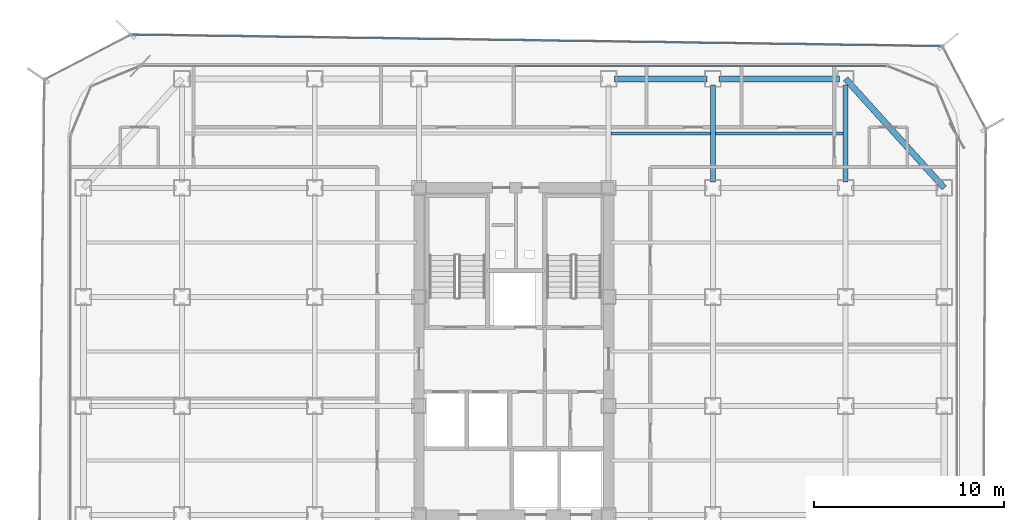
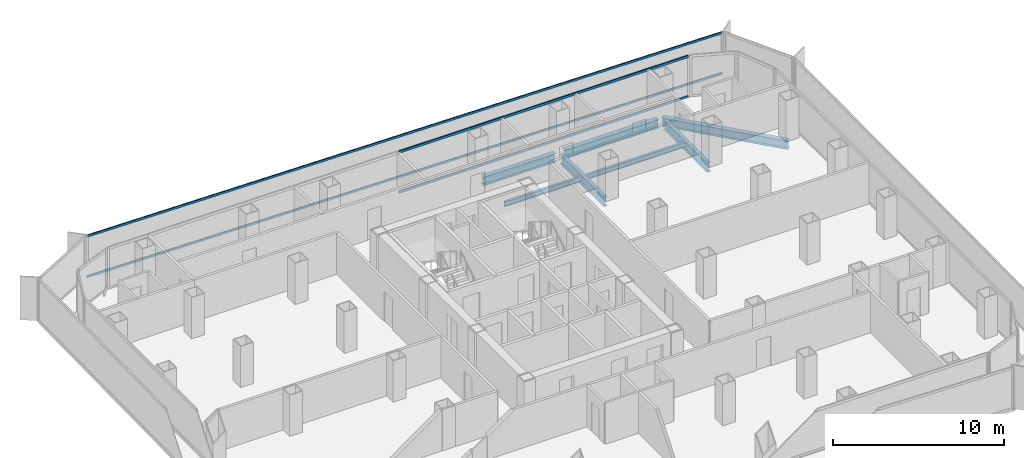
# One storey, part 13 of 21: 7 beams, 4 members, 2 elements without a shape of their own.
"""IFC4 building model written with IfcOpenShell, lengths in metres."""

from ifc_helpers import new_model, si_unit, direction, frame, origin, origin_2d, place, context, subcontext, project, spatial, hollow_rectangle, i_section, extrude, source, transform, mapped, material, layer, layer_set, material_profile, profile_set, type_object, element, aggregate, save


model = new_model("IFC4")

# Units and contexts
model_context = context("Model", 3, precision=1e-05, world=origin(), true_north=direction((0.0, 1.0)))
body_context = subcontext(model_context, "Body", "Model", "MODEL_VIEW")
ifc_project = project(units=[si_unit("LENGTHUNIT", "METRE"), si_unit("AREAUNIT", "SQUARE_METRE"), si_unit("VOLUMEUNIT", "CUBIC_METRE"), si_unit("PLANEANGLEUNIT", "RADIAN"), si_unit("MASSUNIT", "GRAM", prefix="KILO")], contexts=[model_context])

# Site, building, storey
site_placement = place(None, origin())
site = spatial("IfcSite", under=ifc_project, at=site_placement, CompositionType="ELEMENT")
building_placement = place(site_placement, origin())
building = spatial("IfcBuilding", under=site, at=building_placement, Name="Kolveth Station Tower", CompositionType="ELEMENT")
storey_placement = place(building_placement, frame((0.0, 0.0, 131.10009765625)))
storey = spatial("IfcBuildingStorey", under=building, at=storey_placement, Name="L36", CompositionType="ELEMENT", Elevation=131.10009765625)

# Beams
ifc_material_1 = material(Name="Steel S355", Category="steel")
ifc_material_profile_1 = material_profile(ifc_material_1, i_section(OverallWidth=0.323974609375, OverallDepth=0.611083984375, WebThickness=0.0126953125, FlangeThickness=0.01904296875, at=origin_2d()), Name="W610x155")
ifc_profile_set_1 = profile_set([ifc_material_profile_1], Name="Steel S355")
beam_type_1 = type_object("IfcBeamType", Name="Beam_SP2", PredefinedType="SPANDREL", material=ifc_profile_set_1)
shared_shape_1 = source(origin(), body_context, "Body", "SweptSolid", [
    extrude(i_section(OverallWidth=0.323974609375, OverallDepth=0.611083984375, WebThickness=0.0126953125, FlangeThickness=0.01904296875, at=origin_2d()), origin(), (0.0, 0.0, 1.0), 6.35986328125),
])
beam_1_placement = place(storey_placement, frame((34.320068359375, 34.5, -0.5556640625), z_axis=(1.0, 0.0, 0.0), x_axis=(0.0, 1.0, 0.0)))
element("IfcBeam", 1, at=beam_1_placement, inside=storey, type_object=beam_type_1, Name="L36 Perimeter Spandrel BM-L36-PN-5", PredefinedType="SPANDREL", context=body_context, shape_type="MappedRepresentation", body=[
    mapped(shared_shape_1, transform((0.0, 0.0, 0.0), x_axis=(1.0, 0.0, 0.0), y_axis=(0.0, 1.0, 0.0), z_axis=(0.0, 0.0, 1.0), scale=1.0)),
])
shared_shape_2 = source(origin(), body_context, "Body", "SweptSolid", [
    extrude(i_section(OverallWidth=0.323974609375, OverallDepth=0.611083984375, WebThickness=0.0126953125, FlangeThickness=0.01904296875, at=origin_2d()), origin(), (0.0, 0.0, 1.0), 4.85986328125),
])
beam_2_placement = place(storey_placement, frame((28.820068359375, 34.5, -0.5556640625), z_axis=(1.0, 0.0, 0.0), x_axis=(0.0, 1.0, 0.0)))
element("IfcBeam", 2, at=beam_2_placement, inside=storey, type_object=beam_type_1, Name="L36 Perimeter Spandrel BM-L36-PN-4", PredefinedType="SPANDREL", context=body_context, shape_type="MappedRepresentation", body=[
    mapped(shared_shape_2, transform((0.0, 0.0, 0.0), x_axis=(1.0, 0.0, 0.0), y_axis=(0.0, 1.0, 0.0), z_axis=(0.0, 0.0, 1.0), scale=1.0)),
])
shared_shape_3 = source(origin(), body_context, "Body", "SweptSolid", [
    extrude(i_section(OverallWidth=0.323974609375, OverallDepth=0.611083984375, WebThickness=0.0126953125, FlangeThickness=0.01904296875, at=origin_2d()), origin(), (0.0, 0.0, 1.0), 7.75244140625),
])
beam_3_placement = place(storey_placement, frame((46.199951171875, 28.75, -0.5556640625), z_axis=(-0.670740965555, 0.74169168603, 0.0), x_axis=(-0.74169168603, -0.670740965555, 0.0)))
element("IfcBeam", 3, at=beam_3_placement, inside=storey, type_object=beam_type_1, Name="L36 Corner Edge Girder BM-L36-CNR-NE", PredefinedType="SPANDREL", context=body_context, shape_type="MappedRepresentation", body=[
    mapped(shared_shape_3, transform((0.0, 0.0, 0.0), x_axis=(1.0, 0.0, 0.0), y_axis=(0.0, 1.0, 0.0), z_axis=(0.0, 0.0, 1.0), scale=1.0)),
])
ifc_material_profile_2 = material_profile(ifc_material_1, i_section(OverallWidth=0.25390625, OverallDepth=0.68798828125, WebThickness=0.01318359375, FlangeThickness=0.02099609375, at=origin_2d()), Name="W690x152")
ifc_profile_set_2 = profile_set([ifc_material_profile_2], Name="Steel S355")
beam_type_2 = type_object("IfcBeamType", Name="Beam_B4", PredefinedType="BEAM", material=ifc_profile_set_2)
shared_shape_4 = source(origin(), body_context, "Body", "SweptSolid", [
    extrude(i_section(OverallWidth=0.25390625, OverallDepth=0.68798828125, WebThickness=0.01318359375, FlangeThickness=0.02099609375, at=origin_2d()), origin(), (0.0, 0.0, 1.0), 5.10986328125),
])
for number, where, z_axis, x_axis, name in (
    (4, (34.0, 29.070068359375, -0.593994140625), (0.0, 1.0, 0.0), (-1.0, 0.0, 0.0), "L36 Primary Girder BM-L36-GX340-6"),
    (5, (41.0, 29.070068359375, -0.593994140625), (0.0, 1.0, 0.0), (-1.0, 0.0, 0.0), "L36 Primary Girder BM-L36-GX410-6"),
):
    element("IfcBeam", number, at=place(storey_placement, frame(where, z_axis=z_axis, x_axis=x_axis)), inside=storey, type_object=beam_type_2, Name=name, PredefinedType="BEAM", context=body_context, shape_type="MappedRepresentation", body=[
        mapped(shared_shape_4, transform((0.0, 0.0, 0.0), x_axis=(1.0, 0.0, 0.0), y_axis=(0.0, 1.0, 0.0), z_axis=(0.0, 0.0, 1.0), scale=1.0)),
    ])
ifc_material_profile_3 = material_profile(ifc_material_1, i_section(OverallWidth=0.1708984375, OverallDepth=0.35205078125, WebThickness=0.0068359375, FlangeThickness=0.009765625, at=origin_2d()), Name="W360x44")
ifc_profile_set_3 = profile_set([ifc_material_profile_3], Name="Steel S355")
beam_type_3 = type_object("IfcBeamType", Name="Beam_J2", PredefinedType="JOIST", material=ifc_profile_set_3)
shared_shape_5 = source(origin(), body_context, "Body", "SweptSolid", [
    extrude(i_section(OverallWidth=0.1708984375, OverallDepth=0.35205078125, WebThickness=0.0068359375, FlangeThickness=0.009765625, at=origin_2d()), origin(), (0.0, 0.0, 1.0), 6.75),
])
beam_4_placement = place(storey_placement, frame((34.125, 31.625, -0.426025390625), z_axis=(1.0, 0.0, 0.0), x_axis=(0.0, 1.0, 0.0)))
element("IfcBeam", 6, at=beam_4_placement, inside=storey, type_object=beam_type_3, Name="L36 Secondary Joist JST-L36-6-6", PredefinedType="JOIST", context=body_context, shape_type="MappedRepresentation", body=[
    mapped(shared_shape_5, transform((0.0, 0.0, 0.0), x_axis=(1.0, 0.0, 0.0), y_axis=(0.0, 1.0, 0.0), z_axis=(0.0, 0.0, 1.0), scale=1.0)),
])
shared_shape_6 = source(origin(), body_context, "Body", "SweptSolid", [
    extrude(i_section(OverallWidth=0.1708984375, OverallDepth=0.35205078125, WebThickness=0.0068359375, FlangeThickness=0.009765625, at=origin_2d()), origin(), (0.0, 0.0, 1.0), 5.25),
])
beam_5_placement = place(storey_placement, frame((28.625, 31.625, -0.426025390625), z_axis=(1.0, 0.0, 0.0), x_axis=(0.0, 1.0, 0.0)))
element("IfcBeam", 7, at=beam_5_placement, inside=storey, type_object=beam_type_3, Name="L36 Secondary Joist JST-L36-5-6", PredefinedType="JOIST", context=body_context, shape_type="MappedRepresentation", body=[
    mapped(shared_shape_6, transform((0.0, 0.0, 0.0), x_axis=(1.0, 0.0, 0.0), y_axis=(0.0, 1.0, 0.0), z_axis=(0.0, 0.0, 1.0), scale=1.0)),
])

# Curtain wall, members
ifc_material_2 = material(Name="Aluminium 6063-T6 and low-E dark glass", Category="aluminium")
ifc_layer_1 = layer(ifc_material_2, 0.18994140625)
ifc_layer_set_1 = layer_set([ifc_layer_1], Name="Aluminium 6063-T6 and low-E dark glass")
curtain_wall_type_1 = type_object("IfcCurtainWallType", Name="CurtainWall_CW-Z2", PredefinedType="NOTDEFINED", material=ifc_layer_set_1)
curtain_wall_1_placement = place(storey_placement, origin())
curtain_wall_1 = element("IfcCurtainWall", 8, at=curtain_wall_1_placement, inside=storey, type_object=curtain_wall_type_1, Name="L36 Inner Thermal Curtain Wall 6", PredefinedType="NOTDEFINED")
ifc_material_3 = material(Name="Black anodized aluminium 6063-T6", Category="aluminium")
ifc_material_profile_4 = material_profile(ifc_material_3, hollow_rectangle(XDim=0.080078125, YDim=0.169921875, WallThickness=0.0048828125, at=origin_2d()), Name="ALU-80x170x5")
ifc_profile_set_4 = profile_set([ifc_material_profile_4], Name="Black anodized aluminium 6063-T6")
member_type_1 = type_object("IfcMemberType", Name="Transom_TR2", PredefinedType="USERDEFINED", material=ifc_profile_set_4)
shared_shape_7 = source(origin(), body_context, "Body", "SweptSolid", [
    extrude(hollow_rectangle(XDim=0.080078125, YDim=0.169921875, WallThickness=0.0048828125, at=origin_2d()), origin(), (0.0, 0.0, 1.0), 19.580078125),
])
member_1_placement = place(storey_placement, frame((43.1201171875, 35.179931640625, 0.039794921875), z_axis=(-1.0, 0.0, 0.0), x_axis=(0.0, -1.0, 0.0)))
member_1 = element("IfcMember", 9, at=member_1_placement, type_object=member_type_1, Name="CW-Z2 transom 1.1", ObjectType="TRANSOM", PredefinedType="USERDEFINED", context=body_context, shape_type="MappedRepresentation", body=[
    mapped(shared_shape_7, transform((0.0, 0.0, 0.0), x_axis=(1.0, 0.0, 0.0), y_axis=(0.0, 1.0, 0.0), z_axis=(0.0, 0.0, 1.0), scale=1.0)),
])
member_2_placement = place(storey_placement, frame((43.1201171875, 35.179931640625, 2.909912109375), z_axis=(-1.0, 0.0, 0.0), x_axis=(0.0, -1.0, 0.0)))
member_2 = element("IfcMember", 10, at=member_2_placement, type_object=member_type_1, Name="CW-Z2 transom 1.2", ObjectType="TRANSOM", PredefinedType="USERDEFINED", context=body_context, shape_type="MappedRepresentation", body=[
    mapped(shared_shape_7, transform((0.0, 0.0, 0.0), x_axis=(1.0, 0.0, 0.0), y_axis=(0.0, 1.0, 0.0), z_axis=(0.0, 0.0, 1.0), scale=1.0)),
])
aggregate(curtain_wall_1, [member_1, member_2])

ifc_material_4 = material(Name="Black anodized aluminium 6063-T6 and dark solar glass", Category="aluminium")
ifc_layer_2 = layer(ifc_material_4, 0.159912109375)
ifc_layer_set_2 = layer_set([ifc_layer_2], Name="Black anodized aluminium 6063-T6 and dark solar glass")
curtain_wall_type_2 = type_object("IfcCurtainWallType", Name="OUTER SKIN CW-OS", PredefinedType="NOTDEFINED", material=ifc_layer_set_2)
curtain_wall_2_placement = place(storey_placement, origin())
curtain_wall_2 = element("IfcCurtainWall", 11, at=curtain_wall_2_placement, inside=storey, type_object=curtain_wall_type_2, Name="L36 Outer Ventilated Skin Curtain Wall 4", PredefinedType="NOTDEFINED")
ifc_material_profile_5 = material_profile(ifc_material_3, hollow_rectangle(XDim=0.080078125, YDim=0.14990234375, WallThickness=0.0048828125, at=origin_2d()), Name="ALU-80x150x5")
ifc_profile_set_5 = profile_set([ifc_material_profile_5], Name="Black anodized aluminium 6063-T6")
member_type_2 = type_object("IfcMemberType", Name="Transom_TR-OS", PredefinedType="USERDEFINED", material=ifc_profile_set_5)
shared_shape_8 = source(origin(), body_context, "Body", "SweptSolid", [
    extrude(hollow_rectangle(XDim=0.080078125, YDim=0.14990234375, WallThickness=0.0048828125, at=origin_2d()), origin(), (0.0, 0.0, 1.0), 42.620849609375),
])
member_3_placement = place(storey_placement, frame((46.01953125, 36.224365234375, 0.039794921875), z_axis=(-0.999899252928, 0.014194505799, 0.0), x_axis=(-0.014194505799, -0.999899252928, 0.0)))
member_3 = element("IfcMember", 12, at=member_3_placement, type_object=member_type_2, Name="CW-OS transom 1.1", ObjectType="TRANSOM", PredefinedType="USERDEFINED", context=body_context, shape_type="MappedRepresentation", body=[
    mapped(shared_shape_8, transform((0.0, 0.0, 0.0), x_axis=(1.0, 0.0, 0.0), y_axis=(0.0, 1.0, 0.0), z_axis=(0.0, 0.0, 1.0), scale=1.0)),
])
member_4_placement = place(storey_placement, frame((46.01953125, 36.224365234375, 2.949951171875), z_axis=(-0.999899252928, 0.014194505799, 0.0), x_axis=(-0.014194505799, -0.999899252928, 0.0)))
member_4 = element("IfcMember", 13, at=member_4_placement, type_object=member_type_2, Name="CW-OS transom 1.2", ObjectType="TRANSOM", PredefinedType="USERDEFINED", context=body_context, shape_type="MappedRepresentation", body=[
    mapped(shared_shape_8, transform((0.0, 0.0, 0.0), x_axis=(1.0, 0.0, 0.0), y_axis=(0.0, 1.0, 0.0), z_axis=(0.0, 0.0, 1.0), scale=1.0)),
])
aggregate(curtain_wall_2, [member_3, member_4])

save(model, "model.ifc")
